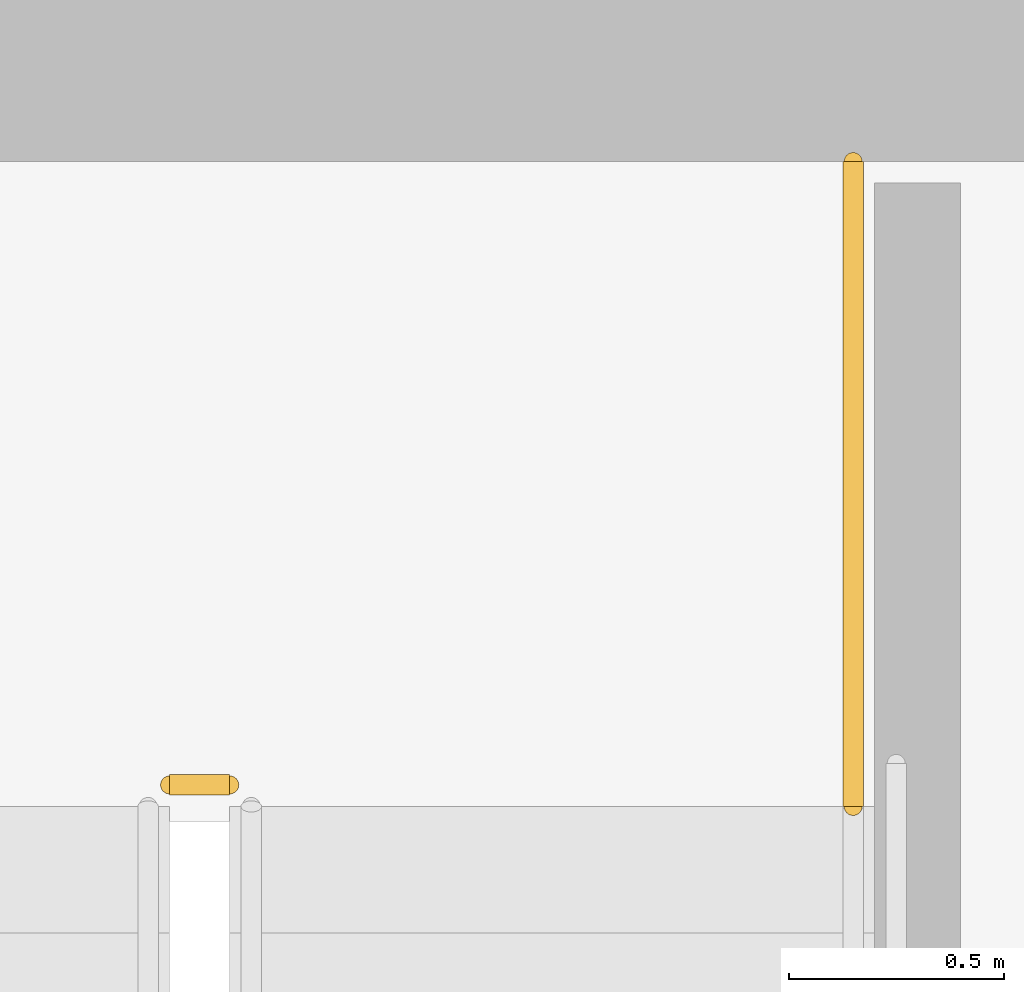
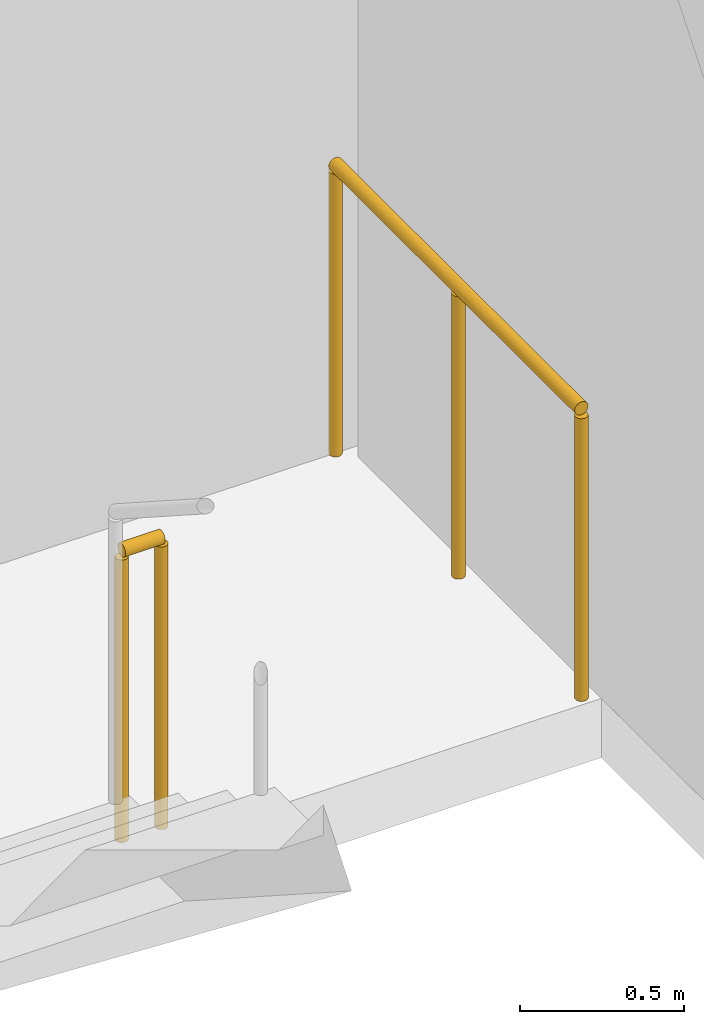
# One storey, part 32 of 32: 2 railings.
"""IFC4 building model written with IfcOpenShell, lengths in metres."""

from ifc_helpers import new_model, si_unit, direction, frame, origin, origin_2d, place, context, subcontext, project, spatial, circle, extrude, material, layer, layer_set, type_object, element, save


model = new_model("IFC4")

# Units and contexts
model_context = context("Model", 3, precision=1e-05, world=origin(), true_north=direction((0.0, 1.0)))
body_context = subcontext(model_context, "Body", "Model", "MODEL_VIEW")
ifc_project = project(units=[si_unit("LENGTHUNIT", "METRE"), si_unit("AREAUNIT", "SQUARE_METRE"), si_unit("VOLUMEUNIT", "CUBIC_METRE"), si_unit("PLANEANGLEUNIT", "RADIAN"), si_unit("MASSUNIT", "GRAM", prefix="KILO")], contexts=[model_context])

# Site, building, storey
site_placement = place(None, origin())
site = spatial("IfcSite", under=ifc_project, at=site_placement, CompositionType="ELEMENT")
building_placement = place(site_placement, origin())
building = spatial("IfcBuilding", under=site, at=building_placement, Name="Ndaravel Arena Tower", CompositionType="ELEMENT")
storey_placement = place(building_placement, frame((0.0, 0.0, 70.199951171875)))
storey = spatial("IfcBuildingStorey", under=building, at=storey_placement, Name="L15", CompositionType="ELEMENT", Elevation=70.199951171875)

# Railings
ifc_material = material(Name="Steel S355", Category="steel")
ifc_layer = layer(ifc_material, 0.06005859375)
ifc_layer_set = layer_set([ifc_layer], Name="Steel S355")
railing_type = type_object("IfcRailingType", Name="RAIL-STAIR-GD1100", PredefinedType="GUARDRAIL", material=ifc_layer_set)
railing_1_placement = place(storey_placement, frame((55.10009765625, 13.300048828125, 0.0)))
element("IfcRailing", 1, at=railing_1_placement, inside=storey, type_object=railing_type, Name="L15 ST-3 stair guard 4", PredefinedType="GUARDRAIL", context=body_context, shape_type="SweptSolid", body=[
    extrude(circle(Radius=0.02392578125, at=origin_2d()), frame((0.0, 0.0, 1.076171875), z_axis=(1.0, 0.0, 0.0), x_axis=(0.0, 1.0, 0.0)), (0.0, 0.0, 1.0), 0.139892578125),
    extrude(circle(Radius=0.02099609375, at=origin_2d()), origin(), (0.0, 0.0, 1.0), 1.052001953125),
    extrude(circle(Radius=0.02099609375, at=origin_2d()), frame((0.139892578125, 0.0, 0.0)), (0.0, 0.0, 1.0), 1.052001953125),
])
railing_2_placement = place(storey_placement, frame((56.68994140625, 14.75, 0.0)))
element("IfcRailing", 2, at=railing_2_placement, inside=storey, type_object=railing_type, Name="L15 ST-3 stair guard 5", PredefinedType="GUARDRAIL", context=body_context, shape_type="SweptSolid", body=[
    extrude(circle(Radius=0.02392578125, at=origin_2d()), frame((0.0, 0.0, 1.076171875), z_axis=(0.0, -1.0, 0.0), x_axis=(1.0, 0.0, 0.0)), (0.0, 0.0, 1.0), 1.5),
    extrude(circle(Radius=0.02099609375, at=origin_2d()), origin(), (0.0, 0.0, 1.0), 1.052001953125),
    extrude(circle(Radius=0.02099609375, at=origin_2d()), frame((0.0, -0.75, 0.0)), (0.0, 0.0, 1.0), 1.052001953125),
    extrude(circle(Radius=0.02099609375, at=origin_2d()), frame((0.0, -1.5, 0.0)), (0.0, 0.0, 1.0), 1.052001953125),
])

save(model, "model.ifc")
